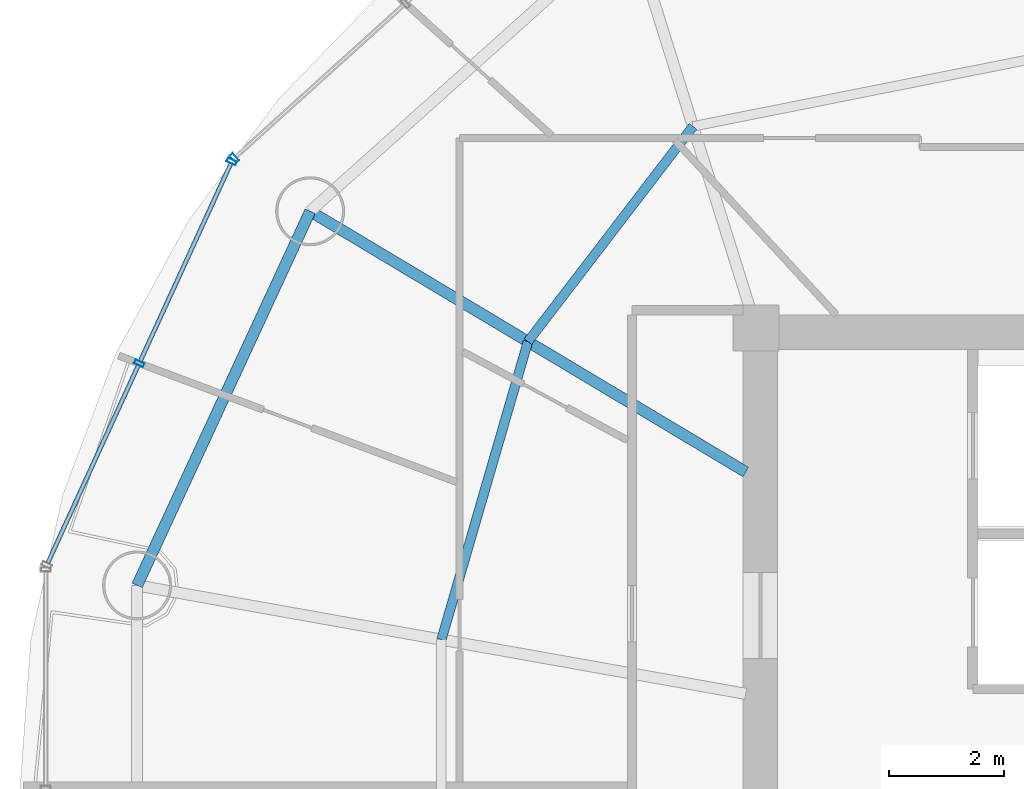
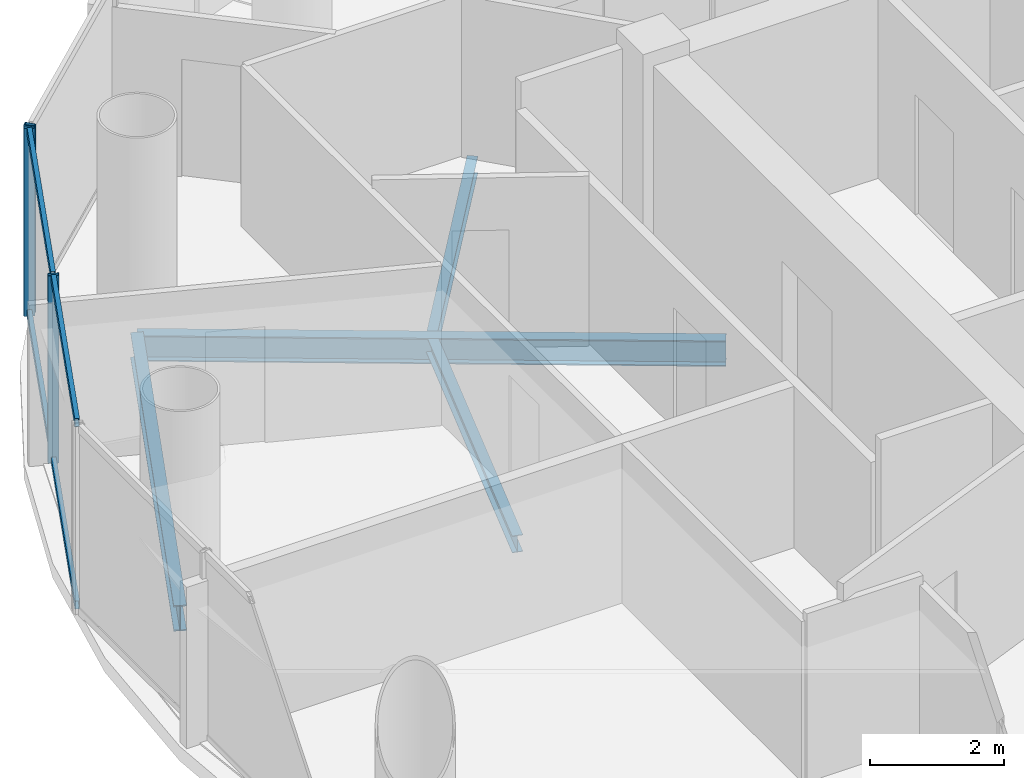
# One storey, part 8 of 26: 7 members, 4 beams, 2 elements without a shape of their own.
"""IFC4 building model written with IfcOpenShell, lengths in metres."""

from ifc_helpers import new_model, si_unit, direction, frame, origin, origin_2d, place, context, subcontext, project, spatial, hollow_rectangle, i_section, extrude, source, transform, mapped, material, material_profile, profile_set, type_object, element, aggregate, save


model = new_model("IFC4")

# Units and contexts
model_context = context("Model", 3, precision=1e-05, world=origin(), true_north=direction((-0.2419218956, 0.970295726276)))
body_context = subcontext(model_context, "Body", "Model", "MODEL_VIEW")
ifc_project = project(units=[si_unit("LENGTHUNIT", "METRE"), si_unit("AREAUNIT", "SQUARE_METRE"), si_unit("VOLUMEUNIT", "CUBIC_METRE"), si_unit("PLANEANGLEUNIT", "RADIAN"), si_unit("MASSUNIT", "GRAM", prefix="KILO")], contexts=[model_context])

# Site, building, storey
site_placement = place(None, origin())
site = spatial("IfcSite", under=ifc_project, at=site_placement, CompositionType="ELEMENT")
building_placement = place(site_placement, origin())
building = spatial("IfcBuilding", under=site, at=building_placement, Name="Cobrevalo Terracotta Tower", CompositionType="ELEMENT")
storey_placement = place(building_placement, frame((0.0, 0.0, 235.60009765625)))
storey = spatial("IfcBuildingStorey", under=building, at=storey_placement, Name="L62", CompositionType="ELEMENT", Elevation=235.60009765625)

# Beams
ifc_material_1 = material(Name="Steel S355", Category="steel")
ifc_material_profile_1 = material_profile(ifc_material_1, i_section(OverallWidth=0.194091796875, OverallDepth=0.468994140625, WebThickness=0.011474609375, FlangeThickness=0.0205078125, at=origin_2d()), Name="W 460x106")
ifc_profile_set_1 = profile_set([ifc_material_profile_1], Name="Steel S355")
beam_type_1 = type_object("IfcBeamType", Name="Structural Beam W 460x106 (Steel S355)", PredefinedType="BEAM", material=ifc_profile_set_1)
beam_1_placement = place(storey_placement, frame((21.245849609375, 36.828125, -0.49951171875), z_axis=(0.858046392192, -0.513572184651, 0.0), x_axis=(0.513572184651, 0.858046392192, 0.0)))
element("IfcBeam", 1, at=beam_1_placement, inside=storey, type_object=beam_type_1, Name="L62 radial floor girder 07", PredefinedType="BEAM", context=body_context, shape_type="SweptSolid", body=[
    extrude(i_section(OverallWidth=0.194091796875, OverallDepth=0.468994140625, WebThickness=0.011474609375, FlangeThickness=0.0205078125, at=origin_2d()), origin(), (0.0, 0.0, 1.0), 8.827392578125),
])
ifc_material_profile_2 = material_profile(ifc_material_1, i_section(OverallWidth=0.1650390625, OverallDepth=0.31005859375, WebThickness=0.005859375, FlangeThickness=0.009765625, at=origin_2d()), Name="W 310x38.7")
ifc_profile_set_2 = profile_set([ifc_material_profile_2], Name="Steel S355")
beam_type_2 = type_object("IfcBeamType", Name="Structural Joist W 310x38.7 (Steel S355)", PredefinedType="JOIST", material=ifc_profile_set_2)
beam_2_placement = place(storey_placement, frame((27.902587890625, 38.303955078125, -0.420166015625), z_axis=(-0.608464146296, -0.793581364872, 0.0), x_axis=(0.793581364872, -0.608464146296, 0.0)))
element("IfcBeam", 2, at=beam_2_placement, inside=storey, type_object=beam_type_2, Name="L62 circumferential secondary floor joist 06", PredefinedType="JOIST", context=body_context, shape_type="SweptSolid", body=[
    extrude(i_section(OverallWidth=0.1650390625, OverallDepth=0.31005859375, WebThickness=0.005859375, FlangeThickness=0.009765625, at=origin_2d()), origin(), (0.0, 0.0, 1.0), 4.716064453125),
])
beam_3_placement = place(storey_placement, frame((25.032958984375, 34.561279296875, -0.420166015625), z_axis=(-0.278769817131, -0.960357948401, 0.0), x_axis=(0.960357948401, -0.278769817131, 0.0)))
element("IfcBeam", 3, at=beam_3_placement, inside=storey, type_object=beam_type_2, Name="L62 circumferential secondary floor joist 07", PredefinedType="JOIST", context=body_context, shape_type="SweptSolid", body=[
    extrude(i_section(OverallWidth=0.1650390625, OverallDepth=0.31005859375, WebThickness=0.005859375, FlangeThickness=0.009765625, at=origin_2d()), origin(), (0.0, 0.0, 1.0), 5.396484375),
])
ifc_material_profile_3 = material_profile(ifc_material_1, i_section(OverallWidth=0.194091796875, OverallDepth=0.468994140625, WebThickness=0.011474609375, FlangeThickness=0.0205078125, at=origin_2d()), Name="W 460x106")
ifc_profile_set_3 = profile_set([ifc_material_profile_3], Name="Steel S355")
beam_type_3 = type_object("IfcBeamType", Name="Structural Spandrel W 460x106 (Steel S355)", PredefinedType="SPANDREL", material=ifc_profile_set_3)
beam_4_placement = place(storey_placement, frame((21.245849609375, 36.828125, -0.49951171875), z_axis=(-0.419705965131, -0.907660125176, 0.0), x_axis=(0.907660125176, -0.419705965131, 0.0)))
element("IfcBeam", 4, at=beam_4_placement, inside=storey, type_object=beam_type_3, Name="L62 perimeter ring spandrel 07", PredefinedType="SPANDREL", context=body_context, shape_type="SweptSolid", body=[
    extrude(i_section(OverallWidth=0.194091796875, OverallDepth=0.468994140625, WebThickness=0.011474609375, FlangeThickness=0.0205078125, at=origin_2d()), origin(), (0.0, 0.0, 1.0), 7.168701171875),
])

# Curtain wall, members
ifc_material_2 = material(Name="Anodized aluminium", Category="aluminium")
curtain_wall_type = type_object("IfcCurtainWallType", Name="Mid-tower high-wind unitised curtain wall CW-U2", PredefinedType="NOTDEFINED", material=ifc_material_2)
curtain_wall_1_placement = place(storey_placement, origin())
curtain_wall_1 = element("IfcCurtainWall", 5, at=curtain_wall_1_placement, inside=storey, type_object=curtain_wall_type, Name="L62 curtain wall CW-L62-S07", PredefinedType="NOTDEFINED")
ifc_material_profile_4 = material_profile(ifc_material_2, hollow_rectangle(XDim=0.074951171875, YDim=0.14990234375, WallThickness=0.00439453125, at=origin_2d()), Name="CWT 75x150")
ifc_profile_set_4 = profile_set([ifc_material_profile_4], Name="Anodized aluminium")
member_type_1 = type_object("IfcMemberType", Name="Tower unitised aluminium transom 75x150", PredefinedType="USERDEFINED", material=ifc_profile_set_4)
shared_shape_1 = source(origin(), body_context, "Body", "SweptSolid", [
    extrude(hollow_rectangle(XDim=0.074951171875, YDim=0.14990234375, WallThickness=0.00439453125, at=origin_2d()), origin(), (0.0, 0.0, 1.0), 3.780029296875),
])
member_1_placement = place(storey_placement, frame((19.865478515625, 37.6552734375, 0.0498046875), z_axis=(-0.416705859352, -0.909041377926, 0.0), x_axis=(0.909041377926, -0.416705859352, 0.0)))
member_1 = element("IfcMember", 6, at=member_1_placement, type_object=member_type_1, Name="CW-L62-S07 transom B01-T1", ObjectType="TRANSOM", PredefinedType="USERDEFINED", context=body_context, shape_type="MappedRepresentation", body=[
    mapped(shared_shape_1, transform((0.0, 0.0, 0.0), scale=1.0)),
])
member_2_placement = place(storey_placement, frame((19.865478515625, 37.6552734375, 3.385009765625), z_axis=(-0.416705859352, -0.909041377926, 0.0), x_axis=(0.909041377926, -0.416705859352, 0.0)))
member_2 = element("IfcMember", 7, at=member_2_placement, type_object=member_type_1, Name="CW-L62-S07 transom B01-T2", ObjectType="TRANSOM", PredefinedType="USERDEFINED", context=body_context, shape_type="MappedRepresentation", body=[
    mapped(shared_shape_1, transform((0.0, 0.0, 0.0), scale=1.0)),
])
member_3_placement = place(storey_placement, frame((18.2568359375, 34.146484375, 0.0498046875), z_axis=(-0.416705859352, -0.909041377926, 0.0), x_axis=(0.909041377926, -0.416705859352, 0.0)))
member_3 = element("IfcMember", 8, at=member_3_placement, type_object=member_type_1, Name="CW-L62-S07 transom B02-T1", ObjectType="TRANSOM", PredefinedType="USERDEFINED", context=body_context, shape_type="MappedRepresentation", body=[
    mapped(shared_shape_1, transform((0.0, 0.0, 0.0), scale=1.0)),
])
member_4_placement = place(storey_placement, frame((18.2568359375, 34.146484375, 3.385009765625), z_axis=(-0.416705859352, -0.909041377926, 0.0), x_axis=(0.909041377926, -0.416705859352, 0.0)))
member_4 = element("IfcMember", 9, at=member_4_placement, type_object=member_type_1, Name="CW-L62-S07 transom B02-T2", ObjectType="TRANSOM", PredefinedType="USERDEFINED", context=body_context, shape_type="MappedRepresentation", body=[
    mapped(shared_shape_1, transform((0.0, 0.0, 0.0), scale=1.0)),
])

# Curtain wall, member
curtain_wall_2_placement = place(storey_placement, origin())
curtain_wall_2 = element("IfcCurtainWall", 10, at=curtain_wall_2_placement, inside=storey, type_object=curtain_wall_type, Name="L62 curtain wall CW-L62-S06", PredefinedType="NOTDEFINED")
ifc_material_profile_5 = material_profile(ifc_material_2, hollow_rectangle(XDim=0.070068359375, YDim=0.169921875, WallThickness=0.00439453125, at=origin_2d()), Name="CWM 70x170")
ifc_profile_set_5 = profile_set([ifc_material_profile_5], Name="Anodized aluminium")
member_type_2 = type_object("IfcMemberType", Name="Upper tower unitised mullion 70x170", PredefinedType="MULLION", material=ifc_profile_set_5)
shared_shape_2 = source(origin(), body_context, "Body", "SweptSolid", [
    extrude(hollow_rectangle(XDim=0.070068359375, YDim=0.169921875, WallThickness=0.00439453125, at=origin_2d()), origin(), (0.0, 0.0, 1.0), 3.434814453125),
])
member_5_placement = place(storey_placement, frame((19.928466796875, 37.7548828125, 0.0), z_axis=(0.0, 0.0, 1.0), x_axis=(-0.741987542015, -0.670413668935, 0.0)))
member_5 = element("IfcMember", 11, at=member_5_placement, type_object=member_type_2, Name="CW-L62-S06 vertical mullion 03", PredefinedType="MULLION", context=body_context, shape_type="MappedRepresentation", body=[
    mapped(shared_shape_2, transform((0.0, 0.0, 0.0), scale=1.0)),
])
aggregate(curtain_wall_2, [member_5])

# Member
member_6_placement = place(storey_placement, frame((19.88232421875, 37.691650390625, 0.0), z_axis=(0.0, 0.0, 1.0), x_axis=(-0.41672507912, -0.909032567311, 0.0)))
member_6 = element("IfcMember", 12, at=member_6_placement, type_object=member_type_2, Name="CW-L62-S07 vertical mullion 01", PredefinedType="MULLION", context=body_context, shape_type="MappedRepresentation", body=[
    mapped(shared_shape_2, transform((0.0, 0.0, 0.0), scale=1.0)),
])

member_7_placement = place(storey_placement, frame((18.273681640625, 34.182861328125, 0.0), z_axis=(0.0, 0.0, 1.0), x_axis=(-0.41672507912, -0.909032567311, 0.0)))
member_7 = element("IfcMember", 13, at=member_7_placement, type_object=member_type_2, Name="CW-L62-S07 vertical mullion 02", PredefinedType="MULLION", context=body_context, shape_type="MappedRepresentation", body=[
    mapped(shared_shape_2, transform((0.0, 0.0, 0.0), scale=1.0)),
])

aggregate(curtain_wall_1, [member_6, member_7, member_1, member_2, member_3, member_4])

save(model, "model.ifc")
